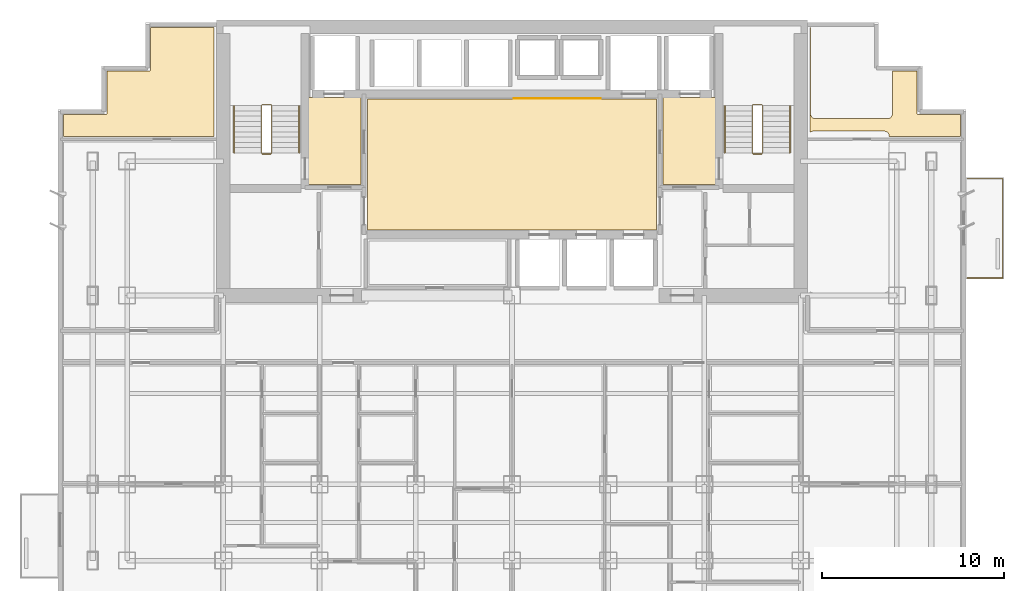
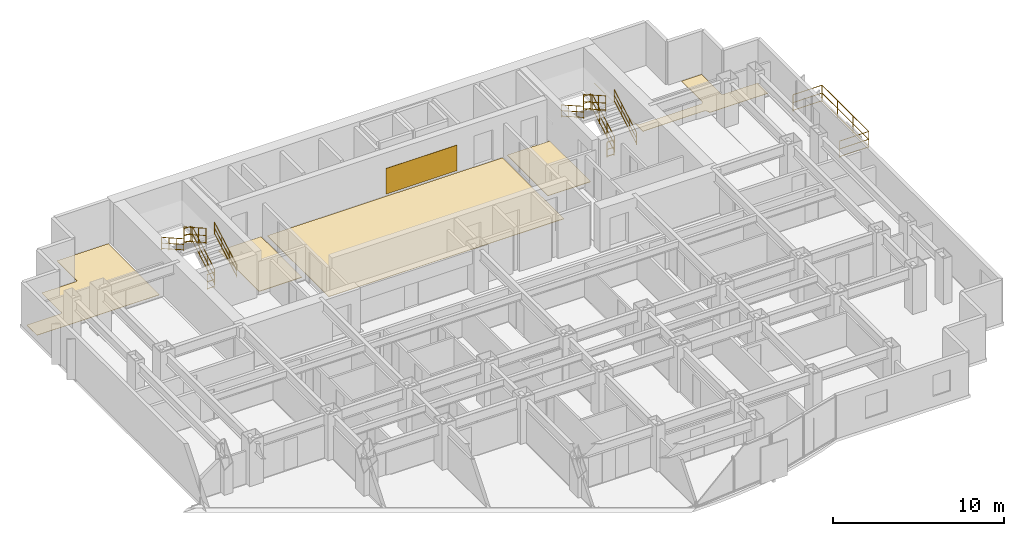
# One storey, part 10 of 10: 13 railings, 6 coverings.
"""IFC4 building model written with IfcOpenShell, lengths in metres."""

from ifc_helpers import new_model, si_unit, direction, frame, origin, origin_2d, place, context, subcontext, project, spatial, polyline, circle, outline, extrude, material, layer, layer_set, type_object, element, save


model = new_model("IFC4")

# Units and contexts
model_context = context("Model", 3, precision=1e-05, world=origin(), true_north=direction((0.0, 1.0)))
body_context = subcontext(model_context, "Body", "Model", "MODEL_VIEW")
ifc_project = project(units=[si_unit("LENGTHUNIT", "METRE"), si_unit("AREAUNIT", "SQUARE_METRE"), si_unit("VOLUMEUNIT", "CUBIC_METRE"), si_unit("PLANEANGLEUNIT", "RADIAN"), si_unit("MASSUNIT", "GRAM", prefix="KILO")], contexts=[model_context])

# Site, building, storey
site_placement = place(None, origin())
site = spatial("IfcSite", under=ifc_project, at=site_placement, CompositionType="ELEMENT")
building_placement = place(site_placement, origin())
building = spatial("IfcBuilding", under=site, at=building_placement, Name="Qianlan Lanfeng Residences", CompositionType="ELEMENT")
storey_placement = place(building_placement, frame((0.0, 0.0, 118.0)))
storey = spatial("IfcBuildingStorey", under=building, at=storey_placement, Name="L32", CompositionType="ELEMENT", Elevation=118.0)

# Coverings
ifc_material_1 = material(Name="Anodised Bronze Feature Wall Cladding")
ifc_layer_1 = layer(ifc_material_1, 0.02490234375)
ifc_layer_set_1 = layer_set([ifc_layer_1], Name="Anodised Bronze Feature Wall Cladding")
covering_type_1 = type_object("IfcCoveringType", Name="CLD-BRZ-25", PredefinedType="CLADDING", material=ifc_layer_set_1)
covering_1_placement = place(storey_placement, frame((0.0, 0.0, 0.14990234375)))
element("IfcCovering", 1, at=covering_1_placement, inside=storey, type_object=covering_type_1, Name="L32 Lift Lobby Bronze Feature Cladding", PredefinedType="CLADDING", context=body_context, shape_type="SweptSolid", body=[
    extrude(outline(polyline([(26.60009765625, 36.050048828125), (31.39990234375, 36.050048828125), (31.39990234375, 36.074951171875), (26.60009765625, 36.074951171875), (26.60009765625, 36.050048828125)])), origin(), (0.0, 0.0, 1.0), 1.830078125),
])
ifc_material_2 = material(Name="Honed Taitung Granite Stone Flooring", Category="masonry")
ifc_layer_2 = layer(ifc_material_2, 0.030029296875)
ifc_layer_set_2 = layer_set([ifc_layer_2], Name="Honed Taitung Granite Stone Flooring")
covering_type_2 = type_object("IfcCoveringType", Name="FLR-STN-30", PredefinedType="FLOORING", material=ifc_layer_set_2)
covering_2_placement = place(storey_placement, origin())
element("IfcCovering", 2, at=covering_2_placement, inside=storey, type_object=covering_type_2, Name="L32 Firefighting Lift Lobby Floor Finish", PredefinedType="FLOORING", context=body_context, shape_type="SweptSolid", body=[
    extrude(outline(polyline([(15.2900390625, 31.320068359375), (18.179931640625, 31.320068359375), (18.179931640625, 36.110107421875), (15.2900390625, 36.110107421875), (15.2900390625, 31.320068359375)])), origin(), (0.0, 0.0, 1.0), 0.030029296875),
])
covering_3_placement = place(storey_placement, origin())
element("IfcCovering", 3, at=covering_3_placement, inside=storey, type_object=covering_type_2, Name="L32 Firefighting Lift Lobby Floor Finish", PredefinedType="FLOORING", context=body_context, shape_type="SweptSolid", body=[
    extrude(outline(polyline([(34.820068359375, 31.320068359375), (37.7099609375, 31.320068359375), (37.7099609375, 36.110107421875), (34.820068359375, 36.110107421875), (34.820068359375, 31.320068359375)])), origin(), (0.0, 0.0, 1.0), 0.030029296875),
])
covering_4_placement = place(storey_placement, origin())
element("IfcCovering", 4, at=covering_4_placement, inside=storey, type_object=covering_type_2, Name="L32 Lift Lobby Floor Finish", PredefinedType="FLOORING", context=body_context, shape_type="SweptSolid", body=[
    extrude(outline(polyline([(18.550048828125, 28.820068359375), (34.449951171875, 28.820068359375), (34.449951171875, 36.010009765625), (18.550048828125, 36.010009765625), (18.550048828125, 28.820068359375)])), origin(), (0.0, 0.0, 1.0), 0.030029296875),
])
ifc_material_3 = material(Name="Engineered Smoked Oak Timber Flooring", Category="wood")
ifc_layer_3 = layer(ifc_material_3, 0.02197265625)
ifc_layer_set_3 = layer_set([ifc_layer_3], Name="Engineered Smoked Oak Timber Flooring")
covering_type_3 = type_object("IfcCoveringType", Name="FLR-TIM-22", PredefinedType="FLOORING", material=ifc_layer_set_3)
covering_5_placement = place(storey_placement, origin())
element("IfcCovering", 5, at=covering_5_placement, inside=storey, type_object=covering_type_3, Name="L32 Resident Lounge Floor Finish", PredefinedType="FLOORING", context=body_context, shape_type="SweptSolid", body=[
    extrude(outline(polyline([(1.7900390625, 33.949951171875), (10.074951171875, 33.949951171875), (10.074951171875, 39.9599609375), (6.590087890625, 39.9599609375), (6.590087890625, 37.6298828125), (6.590087890625, 37.623046875), (6.589111328125, 37.615966796875), (6.5869140625, 37.610107421875), (6.5849609375, 37.60302734375), (6.58203125, 37.596923828125), (6.577880859375, 37.591064453125), (6.573974609375, 37.5859375), (6.569091796875, 37.5810546875), (6.56396484375, 37.575927734375), (6.55908203125, 37.572021484375), (6.552978515625, 37.568115234375), (6.547119140625, 37.56494140625), (6.5400390625, 37.56298828125), (6.533935546875, 37.56103515625), (6.527099609375, 37.56005859375), (6.52001953125, 37.56005859375), (4.18994140625, 37.56005859375), (4.18994140625, 35.22998046875), (4.18994140625, 35.222900390625), (4.18896484375, 35.216064453125), (4.18701171875, 35.2099609375), (4.18505859375, 35.202880859375), (4.181884765625, 35.197021484375), (4.177978515625, 35.19091796875), (4.174072265625, 35.18603515625), (4.1689453125, 35.180908203125), (4.1640625, 35.176025390625), (4.158935546875, 35.172119140625), (4.153076171875, 35.16796875), (4.14697265625, 35.1650390625), (4.139892578125, 35.1630859375), (4.134033203125, 35.160888671875), (4.126953125, 35.159912109375), (4.1201171875, 35.159912109375), (1.7900390625, 35.159912109375), (1.7900390625, 33.949951171875)])), origin(), (0.0, 0.0, 1.0), 0.02197265625),
])
covering_6_placement = place(storey_placement, origin())
element("IfcCovering", 6, at=covering_6_placement, inside=storey, type_object=covering_type_3, Name="L32 Resident Lounge Floor Finish", PredefinedType="FLOORING", context=body_context, shape_type="SweptSolid", body=[
    extrude(outline(polyline([(42.925048828125, 34.196044921875), (42.94091796875, 34.2080078125), (42.9619140625, 34.219970703125), (42.98388671875, 34.23095703125), (43.007080078125, 34.239013671875), (43.031005859375, 34.2451171875), (43.054931640625, 34.2490234375), (43.080078125, 34.25), (47.02001953125, 34.25), (47.044921875, 34.2490234375), (47.069091796875, 34.2451171875), (47.093017578125, 34.239013671875), (47.115966796875, 34.23095703125), (47.137939453125, 34.219970703125), (47.158935546875, 34.2080078125), (47.178955078125, 34.193115234375), (47.197021484375, 34.177001953125), (47.212890625, 34.158935546875), (47.22802734375, 34.138916015625), (47.239990234375, 34.117919921875), (47.2509765625, 34.095947265625), (47.259033203125, 34.072998046875), (47.264892578125, 34.049072265625), (47.26904296875, 34.02490234375), (47.27001953125, 34.0), (47.27001953125, 33.949951171875), (51.2099609375, 33.949951171875), (51.2099609375, 35.159912109375), (48.8798828125, 35.159912109375), (48.873046875, 35.159912109375), (48.865966796875, 35.160888671875), (48.860107421875, 35.1630859375), (48.85302734375, 35.1650390625), (48.846923828125, 35.16796875), (48.841064453125, 35.172119140625), (48.8359375, 35.176025390625), (48.8310546875, 35.180908203125), (48.825927734375, 35.18603515625), (48.822021484375, 35.19091796875), (48.818115234375, 35.197021484375), (48.81494140625, 35.202880859375), (48.81298828125, 35.2099609375), (48.81103515625, 35.216064453125), (48.81005859375, 35.222900390625), (48.81005859375, 35.22998046875), (48.81005859375, 37.56005859375), (47.449951171875, 37.56005859375), (47.449951171875, 35.199951171875), (47.448974609375, 35.175048828125), (47.445068359375, 35.15087890625), (47.43896484375, 35.126953125), (47.430908203125, 35.10400390625), (47.419921875, 35.08203125), (47.407958984375, 35.06103515625), (47.39306640625, 35.041015625), (47.376953125, 35.02294921875), (47.35888671875, 35.007080078125), (47.339111328125, 34.991943359375), (47.318115234375, 34.97998046875), (47.2958984375, 34.968994140625), (47.27294921875, 34.9609375), (47.2490234375, 34.955078125), (47.22509765625, 34.950927734375), (47.199951171875, 34.949951171875), (43.199951171875, 34.949951171875), (43.175048828125, 34.950927734375), (43.15087890625, 34.955078125), (43.126953125, 34.9609375), (43.10400390625, 34.968994140625), (43.08203125, 34.97998046875), (43.06103515625, 34.991943359375), (43.041015625, 35.007080078125), (43.02294921875, 35.02294921875), (43.007080078125, 35.041015625), (42.991943359375, 35.06103515625), (42.97998046875, 35.08203125), (42.968994140625, 35.10400390625), (42.9609375, 35.126953125), (42.955078125, 35.15087890625), (42.950927734375, 35.175048828125), (42.949951171875, 35.199951171875), (42.949951171875, 39.9599609375), (42.925048828125, 39.9599609375), (42.925048828125, 34.196044921875)])), origin(), (0.0, 0.0, 1.0), 0.02197265625),
])

# Railings
ifc_material_4 = material(Name="Anodised Bronze Aluminium and Laminated Glass Guard Balustrade", Category="aluminium")
railing_type_1 = type_object("IfcRailingType", Name="GR-EXT-1220", PredefinedType="BALUSTRADE", material=ifc_material_4)
railing_1_placement = place(storey_placement, frame((51.570068359375, 31.6298828125, 0.0)))
element("IfcRailing", 7, at=railing_1_placement, inside=storey, type_object=railing_type_1, Name="L32 Terrace Safety Guard GR-L32-EB-N", PredefinedType="BALUSTRADE", context=body_context, shape_type="SweptSolid", body=[
    extrude(circle(Radius=0.02490234375, at=origin_2d()), frame((0.0, 0.0, 0.0849609375), z_axis=(1.0, 0.0, 0.0), x_axis=(0.0, 1.0, 0.0)), (0.0, 0.0, 1.0), 1.9599609375),
    extrude(circle(Radius=0.02490234375, at=origin_2d()), frame((0.0, 0.0, 0.63427734375), z_axis=(1.0, 0.0, 0.0), x_axis=(0.0, 1.0, 0.0)), (0.0, 0.0, 1.0), 1.9599609375),
    extrude(circle(Radius=0.02490234375, at=origin_2d()), frame((0.0, 0.0, 1.19482421875), z_axis=(1.0, 0.0, 0.0), x_axis=(0.0, 1.0, 0.0)), (0.0, 0.0, 1.0), 1.9599609375),
    extrude(circle(Radius=0.02490234375, at=origin_2d()), frame((1.9599609375, 0.0, 0.0849609375), z_axis=(0.0, -1.0, 0.0), x_axis=(1.0, 0.0, 0.0)), (0.0, 0.0, 1.0), 5.4599609375),
    extrude(circle(Radius=0.02490234375, at=origin_2d()), frame((1.9599609375, 0.0, 0.63427734375), z_axis=(0.0, -1.0, 0.0), x_axis=(1.0, 0.0, 0.0)), (0.0, 0.0, 1.0), 5.4599609375),
    extrude(circle(Radius=0.02490234375, at=origin_2d()), frame((1.9599609375, 0.0, 1.19482421875), z_axis=(0.0, -1.0, 0.0), x_axis=(1.0, 0.0, 0.0)), (0.0, 0.0, 1.0), 5.4599609375),
    extrude(circle(Radius=0.02490234375, at=origin_2d()), frame((1.9599609375, -5.4599609375, 0.0849609375), z_axis=(-1.0, 0.0, 0.0), x_axis=(0.0, -1.0, 0.0)), (0.0, 0.0, 1.0), 1.9599609375),
    extrude(circle(Radius=0.02490234375, at=origin_2d()), frame((1.9599609375, -5.4599609375, 0.63427734375), z_axis=(-1.0, 0.0, 0.0), x_axis=(0.0, -1.0, 0.0)), (0.0, 0.0, 1.0), 1.9599609375),
    extrude(circle(Radius=0.02490234375, at=origin_2d()), frame((1.9599609375, -5.4599609375, 1.19482421875), z_axis=(-1.0, 0.0, 0.0), x_axis=(0.0, -1.0, 0.0)), (0.0, 0.0, 1.0), 1.9599609375),
    extrude(circle(Radius=0.02099609375, at=origin_2d()), origin(), (0.0, 0.0, 1.0), 1.169921875),
    extrude(circle(Radius=0.02099609375, at=origin_2d()), frame((1.9599609375, 0.0, 0.0)), (0.0, 0.0, 1.0), 1.169921875),
    extrude(circle(Radius=0.02099609375, at=origin_2d()), frame((1.9599609375, -1.820068359375, 0.0)), (0.0, 0.0, 1.0), 1.169921875),
    extrude(circle(Radius=0.02099609375, at=origin_2d()), frame((1.9599609375, -3.639892578125, 0.0)), (0.0, 0.0, 1.0), 1.169921875),
    extrude(circle(Radius=0.02099609375, at=origin_2d()), frame((1.9599609375, -5.4599609375, 0.0)), (0.0, 0.0, 1.0), 1.169921875),
    extrude(circle(Radius=0.02099609375, at=origin_2d()), frame((0.0, -5.4599609375, 0.0)), (0.0, 0.0, 1.0), 1.169921875),
])
ifc_material_5 = material(Name="Painted Galvanised Steel Guardrail", Category="steel")
railing_type_2 = type_object("IfcRailingType", Name="GR-ST-1120", PredefinedType="GUARDRAIL", material=ifc_material_5)
railing_2_placement = place(storey_placement, frame((13.27001953125, 33.050048828125, 0.1650390625)))
element("IfcRailing", 8, at=railing_2_placement, inside=storey, type_object=railing_type_2, Name="L32 ST-1 stair guard 1", PredefinedType="GUARDRAIL", context=body_context, shape_type="SweptSolid", body=[
    extrude(circle(Radius=0.02392578125, at=origin_2d()), frame((0.0, 0.0, 0.083984375), z_axis=(0.0, 0.869172267526, 0.494509422927), x_axis=(-1.0, 0.0, 0.0)), (0.0, 0.0, 1.0), 3.002685546875),
    extrude(circle(Radius=0.02392578125, at=origin_2d()), frame((0.0, 0.0, 0.58251953125), z_axis=(0.0, 0.869172267526, 0.494509422927), x_axis=(-1.0, 0.0, 0.0)), (0.0, 0.0, 1.0), 3.002685546875),
    extrude(circle(Radius=0.02392578125, at=origin_2d()), frame((0.0, 0.0, 1.09619140625), z_axis=(0.0, 0.869172267526, 0.494509422927), x_axis=(-1.0, 0.0, 0.0)), (0.0, 0.0, 1.0), 3.002685546875),
    extrude(circle(Radius=0.02099609375, at=origin_2d()), origin(), (0.0, 0.0, 1.0), 1.072021484375),
    extrude(circle(Radius=0.02099609375, at=origin_2d()), frame((0.0, 0.869873046875, 0.494873046875)), (0.0, 0.0, 1.0), 1.072021484375),
    extrude(circle(Radius=0.02099609375, at=origin_2d()), frame((0.0, 1.739990234375, 0.989990234375)), (0.0, 0.0, 1.0), 1.072021484375),
    extrude(circle(Radius=0.02099609375, at=origin_2d()), frame((0.0, 2.60986328125, 1.48486328125)), (0.0, 0.0, 1.0), 1.072021484375),
])
railing_3_placement = place(storey_placement, frame((13.219970703125, 35.7099609375, 1.64990234375)))
element("IfcRailing", 9, at=railing_3_placement, inside=storey, type_object=railing_type_2, Name="L32 ST-1 stair guard 2", PredefinedType="GUARDRAIL", context=body_context, shape_type="SweptSolid", body=[
    extrude(circle(Radius=0.02392578125, at=origin_2d()), frame((0.0, 0.0, 0.083984375), z_axis=(-1.0, 0.0, 0.0), x_axis=(0.0, -1.0, 0.0)), (0.0, 0.0, 1.0), 0.47998046875),
    extrude(circle(Radius=0.02392578125, at=origin_2d()), frame((0.0, 0.0, 0.58251953125), z_axis=(-1.0, 0.0, 0.0), x_axis=(0.0, -1.0, 0.0)), (0.0, 0.0, 1.0), 0.47998046875),
    extrude(circle(Radius=0.02392578125, at=origin_2d()), frame((0.0, 0.0, 1.09619140625), z_axis=(-1.0, 0.0, 0.0), x_axis=(0.0, -1.0, 0.0)), (0.0, 0.0, 1.0), 0.47998046875),
    extrude(circle(Radius=0.02099609375, at=origin_2d()), origin(), (0.0, 0.0, 1.0), 1.072021484375),
    extrude(circle(Radius=0.02099609375, at=origin_2d()), frame((-0.47998046875, 0.0, 0.0)), (0.0, 0.0, 1.0), 1.072021484375),
])
railing_4_placement = place(storey_placement, frame((12.68994140625, 35.659912109375, 1.81494140625)))
element("IfcRailing", 10, at=railing_4_placement, inside=storey, type_object=railing_type_2, Name="L32 ST-1 stair guard 3", PredefinedType="GUARDRAIL", context=body_context, shape_type="SweptSolid", body=[
    extrude(circle(Radius=0.02392578125, at=origin_2d()), frame((0.0, 0.0, 0.083984375), z_axis=(0.0, -0.869137319866, 0.494570843475), x_axis=(1.0, 0.0, 0.0)), (0.0, 0.0, 1.0), 3.0029296875),
    extrude(circle(Radius=0.02392578125, at=origin_2d()), frame((0.0, 0.0, 0.58251953125), z_axis=(0.0, -0.869137319866, 0.494570843475), x_axis=(1.0, 0.0, 0.0)), (0.0, 0.0, 1.0), 3.0029296875),
    extrude(circle(Radius=0.02392578125, at=origin_2d()), frame((0.0, 0.0, 1.09619140625), z_axis=(0.0, -0.869137319866, 0.494570843475), x_axis=(1.0, 0.0, 0.0)), (0.0, 0.0, 1.0), 3.0029296875),
    extrude(circle(Radius=0.02099609375, at=origin_2d()), origin(), (0.0, 0.0, 1.0), 1.072021484375),
    extrude(circle(Radius=0.02099609375, at=origin_2d()), frame((0.0, -0.869873046875, 0.4951171875)), (0.0, 0.0, 1.0), 1.072021484375),
    extrude(circle(Radius=0.02099609375, at=origin_2d()), frame((0.0, -1.739990234375, 0.989990234375)), (0.0, 0.0, 1.0), 1.072021484375),
    extrude(circle(Radius=0.02099609375, at=origin_2d()), frame((0.0, -2.60986328125, 1.485107421875)), (0.0, 0.0, 1.0), 1.072021484375),
])
railing_5_placement = place(storey_placement, frame((13.219970703125, 33.0, 0.0)))
element("IfcRailing", 11, at=railing_5_placement, inside=storey, type_object=railing_type_2, Name="L32 ST-1 stair guard 4", PredefinedType="GUARDRAIL", context=body_context, shape_type="SweptSolid", body=[
    extrude(circle(Radius=0.02392578125, at=origin_2d()), frame((0.0, 0.0, 0.083984375), z_axis=(-1.0, 0.0, 0.0), x_axis=(0.0, -1.0, 0.0)), (0.0, 0.0, 1.0), 0.47998046875),
    extrude(circle(Radius=0.02392578125, at=origin_2d()), frame((0.0, 0.0, 0.58251953125), z_axis=(-1.0, 0.0, 0.0), x_axis=(0.0, -1.0, 0.0)), (0.0, 0.0, 1.0), 0.47998046875),
    extrude(circle(Radius=0.02392578125, at=origin_2d()), frame((0.0, 0.0, 1.09619140625), z_axis=(-1.0, 0.0, 0.0), x_axis=(0.0, -1.0, 0.0)), (0.0, 0.0, 1.0), 0.47998046875),
    extrude(circle(Radius=0.02099609375, at=origin_2d()), origin(), (0.0, 0.0, 1.0), 1.072021484375),
    extrude(circle(Radius=0.02099609375, at=origin_2d()), frame((-0.47998046875, 0.0, 0.0)), (0.0, 0.0, 1.0), 1.072021484375),
])
railing_6_placement = place(storey_placement, frame((40.31005859375, 33.050048828125, 0.1650390625)))
element("IfcRailing", 12, at=railing_6_placement, inside=storey, type_object=railing_type_2, Name="L32 ST-2 stair guard 1", PredefinedType="GUARDRAIL", context=body_context, shape_type="SweptSolid", body=[
    extrude(circle(Radius=0.02392578125, at=origin_2d()), frame((0.0, 0.0, 0.083984375), z_axis=(0.0, 0.869172267526, 0.494509422927), x_axis=(-1.0, 0.0, 0.0)), (0.0, 0.0, 1.0), 3.002685546875),
    extrude(circle(Radius=0.02392578125, at=origin_2d()), frame((0.0, 0.0, 0.58251953125), z_axis=(0.0, 0.869172267526, 0.494509422927), x_axis=(-1.0, 0.0, 0.0)), (0.0, 0.0, 1.0), 3.002685546875),
    extrude(circle(Radius=0.02392578125, at=origin_2d()), frame((0.0, 0.0, 1.09619140625), z_axis=(0.0, 0.869172267526, 0.494509422927), x_axis=(-1.0, 0.0, 0.0)), (0.0, 0.0, 1.0), 3.002685546875),
    extrude(circle(Radius=0.02099609375, at=origin_2d()), origin(), (0.0, 0.0, 1.0), 1.072021484375),
    extrude(circle(Radius=0.02099609375, at=origin_2d()), frame((0.0, 0.869873046875, 0.494873046875)), (0.0, 0.0, 1.0), 1.072021484375),
    extrude(circle(Radius=0.02099609375, at=origin_2d()), frame((0.0, 1.739990234375, 0.989990234375)), (0.0, 0.0, 1.0), 1.072021484375),
    extrude(circle(Radius=0.02099609375, at=origin_2d()), frame((0.0, 2.60986328125, 1.48486328125)), (0.0, 0.0, 1.0), 1.072021484375),
])
railing_7_placement = place(storey_placement, frame((40.260009765625, 35.7099609375, 1.64990234375)))
element("IfcRailing", 13, at=railing_7_placement, inside=storey, type_object=railing_type_2, Name="L32 ST-2 stair guard 2", PredefinedType="GUARDRAIL", context=body_context, shape_type="SweptSolid", body=[
    extrude(circle(Radius=0.02392578125, at=origin_2d()), frame((0.0, 0.0, 0.083984375), z_axis=(-1.0, 0.0, 0.0), x_axis=(0.0, -1.0, 0.0)), (0.0, 0.0, 1.0), 0.47998046875),
    extrude(circle(Radius=0.02392578125, at=origin_2d()), frame((0.0, 0.0, 0.58251953125), z_axis=(-1.0, 0.0, 0.0), x_axis=(0.0, -1.0, 0.0)), (0.0, 0.0, 1.0), 0.47998046875),
    extrude(circle(Radius=0.02392578125, at=origin_2d()), frame((0.0, 0.0, 1.09619140625), z_axis=(-1.0, 0.0, 0.0), x_axis=(0.0, -1.0, 0.0)), (0.0, 0.0, 1.0), 0.47998046875),
    extrude(circle(Radius=0.02099609375, at=origin_2d()), origin(), (0.0, 0.0, 1.0), 1.072021484375),
    extrude(circle(Radius=0.02099609375, at=origin_2d()), frame((-0.47998046875, 0.0, 0.0)), (0.0, 0.0, 1.0), 1.072021484375),
])
railing_8_placement = place(storey_placement, frame((39.72998046875, 35.659912109375, 1.81494140625)))
element("IfcRailing", 14, at=railing_8_placement, inside=storey, type_object=railing_type_2, Name="L32 ST-2 stair guard 3", PredefinedType="GUARDRAIL", context=body_context, shape_type="SweptSolid", body=[
    extrude(circle(Radius=0.02392578125, at=origin_2d()), frame((0.0, 0.0, 0.083984375), z_axis=(0.0, -0.869137319866, 0.494570843475), x_axis=(1.0, 0.0, 0.0)), (0.0, 0.0, 1.0), 3.0029296875),
    extrude(circle(Radius=0.02392578125, at=origin_2d()), frame((0.0, 0.0, 0.58251953125), z_axis=(0.0, -0.869137319866, 0.494570843475), x_axis=(1.0, 0.0, 0.0)), (0.0, 0.0, 1.0), 3.0029296875),
    extrude(circle(Radius=0.02392578125, at=origin_2d()), frame((0.0, 0.0, 1.09619140625), z_axis=(0.0, -0.869137319866, 0.494570843475), x_axis=(1.0, 0.0, 0.0)), (0.0, 0.0, 1.0), 3.0029296875),
    extrude(circle(Radius=0.02099609375, at=origin_2d()), origin(), (0.0, 0.0, 1.0), 1.072021484375),
    extrude(circle(Radius=0.02099609375, at=origin_2d()), frame((0.0, -0.869873046875, 0.4951171875)), (0.0, 0.0, 1.0), 1.072021484375),
    extrude(circle(Radius=0.02099609375, at=origin_2d()), frame((0.0, -1.739990234375, 0.989990234375)), (0.0, 0.0, 1.0), 1.072021484375),
    extrude(circle(Radius=0.02099609375, at=origin_2d()), frame((0.0, -2.60986328125, 1.485107421875)), (0.0, 0.0, 1.0), 1.072021484375),
])
railing_9_placement = place(storey_placement, frame((40.260009765625, 33.0, 0.0)))
element("IfcRailing", 15, at=railing_9_placement, inside=storey, type_object=railing_type_2, Name="L32 ST-2 stair guard 4", PredefinedType="GUARDRAIL", context=body_context, shape_type="SweptSolid", body=[
    extrude(circle(Radius=0.02392578125, at=origin_2d()), frame((0.0, 0.0, 0.083984375), z_axis=(-1.0, 0.0, 0.0), x_axis=(0.0, -1.0, 0.0)), (0.0, 0.0, 1.0), 0.47998046875),
    extrude(circle(Radius=0.02392578125, at=origin_2d()), frame((0.0, 0.0, 0.58251953125), z_axis=(-1.0, 0.0, 0.0), x_axis=(0.0, -1.0, 0.0)), (0.0, 0.0, 1.0), 0.47998046875),
    extrude(circle(Radius=0.02392578125, at=origin_2d()), frame((0.0, 0.0, 1.09619140625), z_axis=(-1.0, 0.0, 0.0), x_axis=(0.0, -1.0, 0.0)), (0.0, 0.0, 1.0), 0.47998046875),
    extrude(circle(Radius=0.02099609375, at=origin_2d()), origin(), (0.0, 0.0, 1.0), 1.072021484375),
    extrude(circle(Radius=0.02099609375, at=origin_2d()), frame((-0.47998046875, 0.0, 0.0)), (0.0, 0.0, 1.0), 1.072021484375),
])
ifc_material_6 = material(Name="Brushed Stainless Steel Handrail", Category="steel")
railing_type_3 = type_object("IfcRailingType", Name="HR-ST-920", PredefinedType="HANDRAIL", material=ifc_material_6)
railing_10_placement = place(storey_placement, frame((14.77001953125, 33.050048828125, 0.1650390625)))
element("IfcRailing", 16, at=railing_10_placement, inside=storey, type_object=railing_type_3, Name="L32 ST-1 stair handrail 1", PredefinedType="HANDRAIL", context=body_context, shape_type="SweptSolid", body=[
    extrude(circle(Radius=0.02392578125, at=origin_2d()), frame((0.0, 0.0, 0.083984375), z_axis=(0.0, 0.869172267526, 0.494509422927), x_axis=(-1.0, 0.0, 0.0)), (0.0, 0.0, 1.0), 3.002685546875),
    extrude(circle(Radius=0.02392578125, at=origin_2d()), frame((0.0, 0.0, 0.468017578125), z_axis=(0.0, 0.869172267526, 0.494509422927), x_axis=(-1.0, 0.0, 0.0)), (0.0, 0.0, 1.0), 3.002685546875),
    extrude(circle(Radius=0.02392578125, at=origin_2d()), frame((0.0, 0.0, 0.8759765625), z_axis=(0.0, 0.869172267526, 0.494509422927), x_axis=(-1.0, 0.0, 0.0)), (0.0, 0.0, 1.0), 3.002685546875),
    extrude(circle(Radius=0.02099609375, at=origin_2d()), origin(), (0.0, 0.0, 1.0), 0.851806640625),
    extrude(circle(Radius=0.02099609375, at=origin_2d()), frame((0.0, 0.869873046875, 0.494873046875)), (0.0, 0.0, 1.0), 0.851806640625),
    extrude(circle(Radius=0.02099609375, at=origin_2d()), frame((0.0, 1.739990234375, 0.989990234375)), (0.0, 0.0, 1.0), 0.851806640625),
    extrude(circle(Radius=0.02099609375, at=origin_2d()), frame((0.0, 2.60986328125, 1.48486328125)), (0.0, 0.0, 1.0), 0.851806640625),
])
railing_11_placement = place(storey_placement, frame((11.18994140625, 35.659912109375, 1.81494140625)))
element("IfcRailing", 17, at=railing_11_placement, inside=storey, type_object=railing_type_3, Name="L32 ST-1 stair handrail 2", PredefinedType="HANDRAIL", context=body_context, shape_type="SweptSolid", body=[
    extrude(circle(Radius=0.02392578125, at=origin_2d()), frame((0.0, 0.0, 0.083984375), z_axis=(0.0, -0.869137319866, 0.494570843475), x_axis=(1.0, 0.0, 0.0)), (0.0, 0.0, 1.0), 3.0029296875),
    extrude(circle(Radius=0.02392578125, at=origin_2d()), frame((0.0, 0.0, 0.468017578125), z_axis=(0.0, -0.869137319866, 0.494570843475), x_axis=(1.0, 0.0, 0.0)), (0.0, 0.0, 1.0), 3.0029296875),
    extrude(circle(Radius=0.02392578125, at=origin_2d()), frame((0.0, 0.0, 0.8759765625), z_axis=(0.0, -0.869137319866, 0.494570843475), x_axis=(1.0, 0.0, 0.0)), (0.0, 0.0, 1.0), 3.0029296875),
    extrude(circle(Radius=0.02099609375, at=origin_2d()), origin(), (0.0, 0.0, 1.0), 0.851806640625),
    extrude(circle(Radius=0.02099609375, at=origin_2d()), frame((0.0, -0.869873046875, 0.4951171875)), (0.0, 0.0, 1.0), 0.851806640625),
    extrude(circle(Radius=0.02099609375, at=origin_2d()), frame((0.0, -1.739990234375, 0.989990234375)), (0.0, 0.0, 1.0), 0.851806640625),
    extrude(circle(Radius=0.02099609375, at=origin_2d()), frame((0.0, -2.60986328125, 1.485107421875)), (0.0, 0.0, 1.0), 0.851806640625),
])
railing_12_placement = place(storey_placement, frame((41.81005859375, 33.050048828125, 0.1650390625)))
element("IfcRailing", 18, at=railing_12_placement, inside=storey, type_object=railing_type_3, Name="L32 ST-2 stair handrail 1", PredefinedType="HANDRAIL", context=body_context, shape_type="SweptSolid", body=[
    extrude(circle(Radius=0.02392578125, at=origin_2d()), frame((0.0, 0.0, 0.083984375), z_axis=(0.0, 0.869172267526, 0.494509422927), x_axis=(-1.0, 0.0, 0.0)), (0.0, 0.0, 1.0), 3.002685546875),
    extrude(circle(Radius=0.02392578125, at=origin_2d()), frame((0.0, 0.0, 0.468017578125), z_axis=(0.0, 0.869172267526, 0.494509422927), x_axis=(-1.0, 0.0, 0.0)), (0.0, 0.0, 1.0), 3.002685546875),
    extrude(circle(Radius=0.02392578125, at=origin_2d()), frame((0.0, 0.0, 0.8759765625), z_axis=(0.0, 0.869172267526, 0.494509422927), x_axis=(-1.0, 0.0, 0.0)), (0.0, 0.0, 1.0), 3.002685546875),
    extrude(circle(Radius=0.02099609375, at=origin_2d()), origin(), (0.0, 0.0, 1.0), 0.851806640625),
    extrude(circle(Radius=0.02099609375, at=origin_2d()), frame((0.0, 0.869873046875, 0.494873046875)), (0.0, 0.0, 1.0), 0.851806640625),
    extrude(circle(Radius=0.02099609375, at=origin_2d()), frame((0.0, 1.739990234375, 0.989990234375)), (0.0, 0.0, 1.0), 0.851806640625),
    extrude(circle(Radius=0.02099609375, at=origin_2d()), frame((0.0, 2.60986328125, 1.48486328125)), (0.0, 0.0, 1.0), 0.851806640625),
])
railing_13_placement = place(storey_placement, frame((38.22998046875, 35.659912109375, 1.81494140625)))
element("IfcRailing", 19, at=railing_13_placement, inside=storey, type_object=railing_type_3, Name="L32 ST-2 stair handrail 2", PredefinedType="HANDRAIL", context=body_context, shape_type="SweptSolid", body=[
    extrude(circle(Radius=0.02392578125, at=origin_2d()), frame((0.0, 0.0, 0.083984375), z_axis=(0.0, -0.869137319866, 0.494570843475), x_axis=(1.0, 0.0, 0.0)), (0.0, 0.0, 1.0), 3.0029296875),
    extrude(circle(Radius=0.02392578125, at=origin_2d()), frame((0.0, 0.0, 0.468017578125), z_axis=(0.0, -0.869137319866, 0.494570843475), x_axis=(1.0, 0.0, 0.0)), (0.0, 0.0, 1.0), 3.0029296875),
    extrude(circle(Radius=0.02392578125, at=origin_2d()), frame((0.0, 0.0, 0.8759765625), z_axis=(0.0, -0.869137319866, 0.494570843475), x_axis=(1.0, 0.0, 0.0)), (0.0, 0.0, 1.0), 3.0029296875),
    extrude(circle(Radius=0.02099609375, at=origin_2d()), origin(), (0.0, 0.0, 1.0), 0.851806640625),
    extrude(circle(Radius=0.02099609375, at=origin_2d()), frame((0.0, -0.869873046875, 0.4951171875)), (0.0, 0.0, 1.0), 0.851806640625),
    extrude(circle(Radius=0.02099609375, at=origin_2d()), frame((0.0, -1.739990234375, 0.989990234375)), (0.0, 0.0, 1.0), 0.851806640625),
    extrude(circle(Radius=0.02099609375, at=origin_2d()), frame((0.0, -2.60986328125, 1.485107421875)), (0.0, 0.0, 1.0), 0.851806640625),
])

save(model, "model.ifc")
